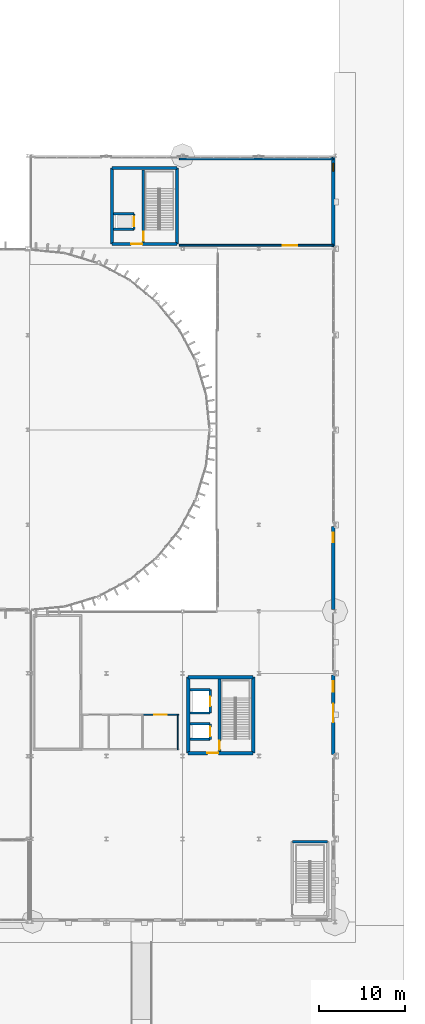
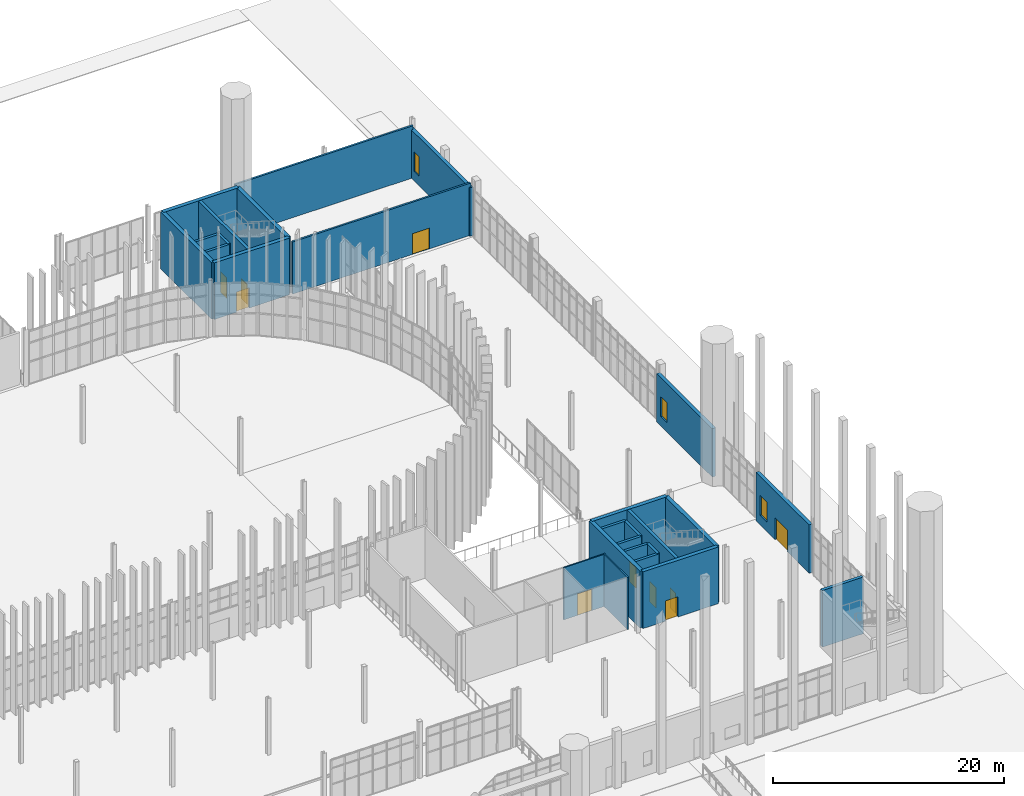
# One storey, part 106 of 139: 27 walls, 10 doors, 3 windows, 13 openings.
"""IFC4 building model written with IfcOpenShell, lengths in metres."""

from ifc_helpers import new_model, si_unit, direction, frame, frame_2d, origin, place, context, subcontext, project, spatial, rectangle, extrude, material, layer, layer_set, type_object, element, fill, save


model = new_model("IFC4")

# Units and contexts
model_context = context("Model", 3, precision=1e-05, world=origin(), true_north=direction((0.0, 1.0)))
body_context = subcontext(model_context, "Body", "Model", "MODEL_VIEW")
ifc_project = project(units=[si_unit("LENGTHUNIT", "METRE"), si_unit("AREAUNIT", "SQUARE_METRE"), si_unit("VOLUMEUNIT", "CUBIC_METRE"), si_unit("PLANEANGLEUNIT", "RADIAN"), si_unit("MASSUNIT", "GRAM", prefix="KILO")], contexts=[model_context])

# Site, building, storey
site_placement = place(None, origin())
site = spatial("IfcSite", under=ifc_project, at=site_placement, CompositionType="ELEMENT")
building_placement = place(site_placement, origin())
building = spatial("IfcBuilding", under=site, at=building_placement, Name="Yeouljin Market Hall", CompositionType="ELEMENT")
storey_placement = place(building_placement, origin())
storey = spatial("IfcBuildingStorey", under=building, at=storey_placement, Name="L00", CompositionType="ELEMENT", Elevation=0.0)

# Wall, opening, door
ifc_material_1 = material(Name="Ceramic-Faced Acoustic Partition")
ifc_layer_1 = layer(ifc_material_1, 0.18994140625)
ifc_layer_set_1 = layer_set([ifc_layer_1], Name="Ceramic-Faced Acoustic Partition")
wall_type_1 = type_object("IfcWallType", Name="Part_KitchenTile_190", PredefinedType="PARTITIONING", material=ifc_layer_set_1)
wall_1_placement = place(storey_placement, frame((158.3701171875, 78.39990234375, 0.0), z_axis=(0.0, 0.0, 1.0), x_axis=(1.0, 0.0, 0.0)))
wall_1 = element("IfcWall", 1, at=wall_1_placement, inside=storey, type_object=wall_type_1, Name="Interior partition PART-L00-0066", PredefinedType="PARTITIONING", context=body_context, shape_type="SweptSolid", body=[
    extrude(rectangle(XDim=17.829833984375, YDim=0.18994140625, at=frame_2d((8.9150390625, 0.0))), origin(), (0.0, 0.0, 1.0), 5.52001953125),
])
opening_1_placement = place(wall_1_placement, frame((12.00244140625, 0.0, 0.0)))
opening_1 = element("IfcOpeningElement", 2, at=opening_1_placement, cuts=wall_1, Name="Opening D-L00-021", PredefinedType="OPENING", context=body_context, shape_type="SweptSolid", body=[
    extrude(rectangle(XDim=1.679931640625, YDim=2.199951171875, at=frame_2d((0.83984375, 1.10009765625))), frame((0.0, 0.10498046875, 0.0), z_axis=(0.0, -1.0, 0.0), x_axis=(1.0, 0.0, 0.0)), (0.0, 0.0, 1.0), 0.2099609375),
])
ifc_material_2 = material(Name="Painted Fire-Rated Steel", Category="steel")
door_type_1 = type_object("IfcDoorType", Name="DT-FD168", OperationType="NOTDEFINED", PredefinedType="DOOR", material=ifc_material_2)
door_1_placement = place(opening_1_placement, origin())
door_1 = element("IfcDoor", 3, at=door_1_placement, inside=storey, type_object=door_type_1, Name="Interior door D-L00-021 (Seafood Broth Prep Kitchen)", OperationType="SINGLE_SWING_LEFT", OverallHeight=2.199951171875, OverallWidth=1.679931640625, PredefinedType="DOOR", context=body_context, shape_type="SweptSolid", body=[
    extrude(rectangle(XDim=1.679931640625, YDim=2.199951171875, at=frame_2d((0.83984375, 1.10009765625))), frame((0.0, 0.02490234375, 0.0), z_axis=(0.0, -1.0, 0.0), x_axis=(1.0, 0.0, 0.0)), (0.0, 0.0, 1.0), 0.050048828125),
])
fill(opening_1, door_1)

# Wall
wall_2_placement = place(storey_placement, frame((176.199951171875, 88.39990234375, 0.0), z_axis=(0.0, 0.0, 1.0), x_axis=(-1.0, 0.0, 0.0)))
element("IfcWall", 4, at=wall_2_placement, inside=storey, type_object=wall_type_1, Name="Interior partition PART-L00-0067", PredefinedType="PARTITIONING", context=body_context, shape_type="SweptSolid", body=[
    extrude(rectangle(XDim=17.829833984375, YDim=0.18994140625, at=frame_2d((8.9150390625, 0.0))), origin(), (0.0, 0.0, 1.0), 5.52001953125),
])

# Wall, opening, door
ifc_material_3 = material(Name="Moisture-Resistant Gypsum Partition")
ifc_layer_2 = layer(ifc_material_3, 0.1298828125)
ifc_layer_set_2 = layer_set([ifc_layer_2], Name="Moisture-Resistant Gypsum Partition")
wall_type_2 = type_object("IfcWallType", Name="Part_Sanitary_130", PredefinedType="PARTITIONING", material=ifc_layer_set_2)
wall_3_placement = place(storey_placement, frame((158.280029296875, 24.0, 0.0), z_axis=(0.0, 0.0, 1.0), x_axis=(-1.0, 0.0, 0.0)))
wall_3 = element("IfcWall", 5, at=wall_3_placement, inside=storey, type_object=wall_type_2, Name="Interior partition PART-L00-0047", PredefinedType="PARTITIONING", context=body_context, shape_type="SweptSolid", body=[
    extrude(rectangle(XDim=4.179931640625, YDim=0.1298828125, at=frame_2d((2.08984375, 0.0))), origin(), (0.0, 0.0, 1.0), 5.52001953125),
])
opening_2_placement = place(wall_3_placement, frame((1.3701171875, 0.0, 0.0)))
opening_2 = element("IfcOpeningElement", 6, at=opening_2_placement, cuts=wall_3, Name="Opening D-L00-015", PredefinedType="OPENING", context=body_context, shape_type="SweptSolid", body=[
    extrude(rectangle(XDim=1.43994140625, YDim=2.280029296875, at=frame_2d((0.719970703125, 1.14013671875))), frame((0.0, 0.074951171875, 0.0), z_axis=(0.0, -1.0, 0.0), x_axis=(1.0, 0.0, 0.0)), (0.0, 0.0, 1.0), 0.14990234375),
])
ifc_material_4 = material(Name="Acoustic Timber Veneer", Category="wood")
door_type_2 = type_object("IfcDoorType", Name="DT-ID144H", OperationType="NOTDEFINED", PredefinedType="DOOR", material=ifc_material_4)
door_2_placement = place(opening_2_placement, origin())
door_2 = element("IfcDoor", 7, at=door_2_placement, inside=storey, type_object=door_type_2, Name="Interior door D-L00-015 (East Female WC)", OperationType="SINGLE_SWING_LEFT", OverallHeight=2.280029296875, OverallWidth=1.43994140625, PredefinedType="DOOR", context=body_context, shape_type="SweptSolid", body=[
    extrude(rectangle(XDim=1.43994140625, YDim=2.280029296875, at=frame_2d((0.719970703125, 1.14013671875))), frame((0.0, 0.02490234375, 0.0), z_axis=(0.0, -1.0, 0.0), x_axis=(1.0, 0.0, 0.0)), (0.0, 0.0, 1.0), 0.050048828125),
])
fill(opening_2, door_2)

# Wall
wall_4_placement = place(storey_placement, frame((158.199951171875, 19.919921875, 0.0), z_axis=(0.0, 0.0, 1.0), x_axis=(0.0, 1.0, 0.0)))
element("IfcWall", 8, at=wall_4_placement, inside=storey, type_object=wall_type_2, Name="Interior partition PART-L00-0049", PredefinedType="PARTITIONING", context=body_context, shape_type="SweptSolid", body=[
    extrude(rectangle(XDim=4.16015625, YDim=0.1298828125, at=frame_2d((2.080078125, 0.0))), origin(), (0.0, 0.0, 1.0), 5.52001953125),
])

# Wall, opening, door
ifc_material_5 = material(Name="Concrete C35/45", Category="concrete")
ifc_layer_3 = layer(ifc_material_5, 0.260009765625)
ifc_layer_set_3 = layer_set([ifc_layer_3], Name="Concrete C35/45")
wall_type_3 = type_object("IfcWallType", Name="Wall_Compartment_260", PredefinedType="SHEAR", material=ifc_layer_set_3)
wall_5_placement = place(storey_placement, frame((161.945068359375, 21.14990234375, 0.0), z_axis=(0.0, 0.0, 1.0), x_axis=(0.0, 1.0, 0.0)))
wall_5 = element("IfcWall", 9, at=wall_5_placement, inside=storey, type_object=wall_type_3, Name="Lift LP-03 hoistway front wall (L00)", PredefinedType="SHEAR", context=body_context, shape_type="SweptSolid", body=[
    extrude(rectangle(XDim=1.800048828125, YDim=0.260009765625, at=frame_2d((0.89990234375, 0.0))), origin(), (0.0, 0.0, 1.0), 6.0),
])
opening_3_placement = place(wall_5_placement, frame((0.35009765625, 0.0, 0.0)))
opening_3 = element("IfcOpeningElement", 10, at=opening_3_placement, cuts=wall_5, Name="Opening LD-LP-03-L00", PredefinedType="OPENING", context=body_context, shape_type="SweptSolid", body=[
    extrude(rectangle(XDim=1.10009765625, YDim=2.14990234375, at=frame_2d((0.550048828125, 1.074951171875))), frame((0.0, 0.139892578125, 0.0), z_axis=(0.0, -1.0, 0.0), x_axis=(1.0, 0.0, 0.0)), (0.0, 0.0, 1.0), 0.280029296875),
])
ifc_material_6 = material(Name="Brushed Stainless Steel", Category="steel")
door_type_3 = type_object("IfcDoorType", Name="LD-110", OperationType="SLIDING_TO_LEFT", PredefinedType="DOOR", material=ifc_material_6)
door_3_placement = place(opening_3_placement, origin())
door_3 = element("IfcDoor", 11, at=door_3_placement, inside=storey, type_object=door_type_3, Name="Lift landing sliding door LD-LP-03-L00", OperationType="SLIDING_TO_LEFT", OverallHeight=2.14990234375, OverallWidth=1.10009765625, PredefinedType="DOOR", context=body_context, shape_type="SweptSolid", body=[
    extrude(rectangle(XDim=1.10009765625, YDim=2.14990234375, at=frame_2d((0.550048828125, 1.074951171875))), frame((0.0, 0.02490234375, 0.0), z_axis=(0.0, -1.0, 0.0), x_axis=(1.0, 0.0, 0.0)), (0.0, 0.0, 1.0), 0.050048828125),
])
fill(opening_3, door_3)

# Walls
for number, where, z_axis, x_axis, name in (
    (12, (159.590087890625, 21.14990234375, 0.0), (0.0, 0.0, 1.0), (1.0, 0.0, 0.0), "Lift LP-03 shaft cheek wall S (L00)"),
    (13, (159.590087890625, 22.949951171875, 0.0), (0.0, 0.0, 1.0), (1.0, 0.0, 0.0), "Lift LP-03 shaft cheek wall N (L00)"),
):
    element("IfcWall", number, at=place(storey_placement, frame(where, z_axis=z_axis, x_axis=x_axis)), inside=storey, type_object=wall_type_3, Name=name, PredefinedType="SHEAR", context=body_context, shape_type="SweptSolid", body=[
        extrude(rectangle(XDim=2.35498046875, YDim=0.260009765625, at=frame_2d((1.177490234375, 0.0))), origin(), (0.0, 0.0, 1.0), 6.0),
    ])

# Wall, opening, door
wall_6_placement = place(storey_placement, frame((161.945068359375, 24.199951171875, 0.0), z_axis=(0.0, 0.0, 1.0), x_axis=(0.0, 1.0, 0.0)))
wall_6 = element("IfcWall", 14, at=wall_6_placement, inside=storey, type_object=wall_type_3, Name="Lift LS-02 hoistway front wall (L00)", PredefinedType="SHEAR", context=body_context, shape_type="SweptSolid", body=[
    extrude(rectangle(XDim=2.699951171875, YDim=0.260009765625, at=frame_2d((1.35009765625, 0.0))), origin(), (0.0, 0.0, 1.0), 6.0),
])
opening_4_placement = place(wall_6_placement, frame((0.800048828125, 0.0, 0.0)))
opening_4 = element("IfcOpeningElement", 15, at=opening_4_placement, cuts=wall_6, Name="Opening LD-LS-02-L00", PredefinedType="OPENING", context=body_context, shape_type="SweptSolid", body=[
    extrude(rectangle(XDim=1.10009765625, YDim=2.14990234375, at=frame_2d((0.550048828125, 1.074951171875))), frame((0.0, 0.139892578125, 0.0), z_axis=(0.0, -1.0, 0.0), x_axis=(1.0, 0.0, 0.0)), (0.0, 0.0, 1.0), 0.280029296875),
])
door_4_placement = place(opening_4_placement, origin())
door_4 = element("IfcDoor", 16, at=door_4_placement, inside=storey, type_object=door_type_3, Name="Lift landing sliding door LD-LS-02-L00", OperationType="SLIDING_TO_RIGHT", OverallHeight=2.14990234375, OverallWidth=1.10009765625, PredefinedType="DOOR", context=body_context, shape_type="SweptSolid", body=[
    extrude(rectangle(XDim=1.10009765625, YDim=2.14990234375, at=frame_2d((0.550048828125, 1.074951171875))), frame((0.0, 0.02490234375, 0.0), z_axis=(0.0, -1.0, 0.0), x_axis=(1.0, 0.0, 0.0)), (0.0, 0.0, 1.0), 0.050048828125),
])
fill(opening_4, door_4)

# Walls
for number, where, z_axis, x_axis, name in (
    (17, (159.590087890625, 24.199951171875, 0.0), (0.0, 0.0, 1.0), (1.0, 0.0, 0.0), "Lift LS-02 shaft cheek wall S (L00)"),
    (18, (159.590087890625, 26.89990234375, 0.0), (0.0, 0.0, 1.0), (1.0, 0.0, 0.0), "Lift LS-02 shaft cheek wall N (L00)"),
):
    element("IfcWall", number, at=place(storey_placement, frame(where, z_axis=z_axis, x_axis=x_axis)), inside=storey, type_object=wall_type_3, Name=name, PredefinedType="SHEAR", context=body_context, shape_type="SweptSolid", body=[
        extrude(rectangle(XDim=2.35498046875, YDim=0.260009765625, at=frame_2d((1.177490234375, 0.0))), origin(), (0.0, 0.0, 1.0), 6.0),
    ])

# Wall, opening, door
wall_7_placement = place(storey_placement, frame((153.114990234375, 80.25, 0.0), z_axis=(0.0, 0.0, 1.0), x_axis=(0.0, 1.0, 0.0)))
wall_7 = element("IfcWall", 19, at=wall_7_placement, inside=storey, type_object=wall_type_3, Name="Lift LP-04 hoistway front wall (L00)", PredefinedType="SHEAR", context=body_context, shape_type="SweptSolid", body=[
    extrude(rectangle(XDim=1.800048828125, YDim=0.260009765625, at=frame_2d((0.89990234375, 0.0))), origin(), (0.0, 0.0, 1.0), 6.0),
])
opening_5_placement = place(wall_7_placement, frame((0.35009765625, 0.0, 0.0)))
opening_5 = element("IfcOpeningElement", 20, at=opening_5_placement, cuts=wall_7, Name="Opening LD-LP-04-L00", PredefinedType="OPENING", context=body_context, shape_type="SweptSolid", body=[
    extrude(rectangle(XDim=1.10009765625, YDim=2.14990234375, at=frame_2d((0.550048828125, 1.074951171875))), frame((0.0, 0.139892578125, 0.0), z_axis=(0.0, -1.0, 0.0), x_axis=(1.0, 0.0, 0.0)), (0.0, 0.0, 1.0), 0.280029296875),
])
door_5_placement = place(opening_5_placement, origin())
door_5 = element("IfcDoor", 21, at=door_5_placement, inside=storey, type_object=door_type_3, Name="Lift landing sliding door LD-LP-04-L00", OperationType="SLIDING_TO_LEFT", OverallHeight=2.14990234375, OverallWidth=1.10009765625, PredefinedType="DOOR", context=body_context, shape_type="SweptSolid", body=[
    extrude(rectangle(XDim=1.10009765625, YDim=2.14990234375, at=frame_2d((0.550048828125, 1.074951171875))), frame((0.0, 0.02490234375, 0.0), z_axis=(0.0, -1.0, 0.0), x_axis=(1.0, 0.0, 0.0)), (0.0, 0.0, 1.0), 0.050048828125),
])
fill(opening_5, door_5)

# Walls
for number, where, z_axis, x_axis, name in (
    (22, (150.760009765625, 80.25, 0.0), (0.0, 0.0, 1.0), (1.0, 0.0, 0.0), "Lift LP-04 shaft cheek wall S (L00)"),
    (23, (150.760009765625, 82.050048828125, 0.0), (0.0, 0.0, 1.0), (1.0, 0.0, 0.0), "Lift LP-04 shaft cheek wall N (L00)"),
):
    element("IfcWall", number, at=place(storey_placement, frame(where, z_axis=z_axis, x_axis=x_axis)), inside=storey, type_object=wall_type_3, Name=name, PredefinedType="SHEAR", context=body_context, shape_type="SweptSolid", body=[
        extrude(rectangle(XDim=2.35498046875, YDim=0.260009765625, at=frame_2d((1.177490234375, 0.0))), origin(), (0.0, 0.0, 1.0), 6.0),
    ])

# Wall, opening, door
ifc_material_7 = material(Name="Concrete C35/45", Category="concrete")
ifc_layer_4 = layer(ifc_material_7, 0.3798828125)
ifc_layer_set_4 = layer_set([ifc_layer_4], Name="Concrete C35/45")
wall_type_4 = type_object("IfcWallType", Name="Wall_CoreShear_380", PredefinedType="SHEAR", material=ifc_layer_set_4)
wall_8_placement = place(storey_placement, frame((159.389892578125, 19.550048828125, 0.0), z_axis=(0.0, 0.0, 1.0), x_axis=(1.0, 0.0, 0.0)))
wall_8 = element("IfcWall", 24, at=wall_8_placement, inside=storey, type_object=wall_type_4, Name="Core C3 south shear wall (L00)", PredefinedType="SHEAR", context=body_context, shape_type="SweptSolid", body=[
    extrude(rectangle(XDim=7.530029296875, YDim=0.3798828125, at=frame_2d((3.76513671875, 0.0))), origin(), (0.0, 0.0, 1.0), 6.0),
])
opening_6_placement = place(wall_8_placement, frame((2.22998046875, 0.0, 0.0)))
opening_6 = element("IfcOpeningElement", 25, at=opening_6_placement, cuts=wall_8, Name="Opening FD-C3-L00-01", PredefinedType="OPENING", context=body_context, shape_type="SweptSolid", body=[
    extrude(rectangle(XDim=1.280029296875, YDim=2.14990234375, at=frame_2d((0.64013671875, 1.074951171875))), frame((0.0, 0.199951171875, 0.0), z_axis=(0.0, -1.0, 0.0), x_axis=(1.0, 0.0, 0.0)), (0.0, 0.0, 1.0), 0.39990234375),
])
ifc_material_8 = material(Name="Painted Fire-Rated Steel", Category="steel")
door_type_4 = type_object("IfcDoorType", Name="DT-FD128", OperationType="NOTDEFINED", PredefinedType="DOOR", material=ifc_material_8)
door_6_placement = place(opening_6_placement, origin())
door_6 = element("IfcDoor", 26, at=door_6_placement, inside=storey, type_object=door_type_4, Name="Core C3 lobby fire door (L00)", OperationType="SINGLE_SWING_LEFT", OverallHeight=2.14990234375, OverallWidth=1.280029296875, PredefinedType="DOOR", context=body_context, shape_type="SweptSolid", body=[
    extrude(rectangle(XDim=1.280029296875, YDim=2.14990234375, at=frame_2d((0.64013671875, 1.074951171875))), frame((0.0, 0.02490234375, 0.0), z_axis=(0.0, -1.0, 0.0), x_axis=(1.0, 0.0, 0.0)), (0.0, 0.0, 1.0), 0.050048828125),
])
fill(opening_6, door_6)

# Walls
wall_9_placement = place(storey_placement, frame((166.919921875, 28.35009765625, 0.0), z_axis=(0.0, 0.0, 1.0), x_axis=(-1.0, 0.0, 0.0)))
element("IfcWall", 27, at=wall_9_placement, inside=storey, type_object=wall_type_4, Name="Core C3 north shear wall (L00)", PredefinedType="SHEAR", context=body_context, shape_type="SweptSolid", body=[
    extrude(rectangle(XDim=7.530029296875, YDim=0.3798828125, at=frame_2d((3.76513671875, 0.0))), origin(), (0.0, 0.0, 1.0), 6.0),
])
for number, where, z_axis, x_axis, name in (
    (28, (159.389892578125, 28.35009765625, 0.0), (0.0, 0.0, 1.0), (0.0, -1.0, 0.0), "Core C3 west shear wall (L00)"),
    (29, (166.919921875, 19.550048828125, 0.0), (0.0, 0.0, 1.0), (0.0, 1.0, 0.0), "Core C3 east shear wall (L00)"),
):
    element("IfcWall", number, at=place(storey_placement, frame(where, z_axis=z_axis, x_axis=x_axis)), inside=storey, type_object=wall_type_4, Name=name, PredefinedType="SHEAR", context=body_context, shape_type="SweptSolid", body=[
        extrude(rectangle(XDim=8.800048828125, YDim=0.3798828125, at=frame_2d((4.39990234375, 0.0))), origin(), (0.0, 0.0, 1.0), 6.0),
    ])

# Wall, opening, door
wall_10_placement = place(storey_placement, frame((150.56005859375, 78.550048828125, 0.0), z_axis=(0.0, 0.0, 1.0), x_axis=(1.0, 0.0, 0.0)))
wall_10 = element("IfcWall", 30, at=wall_10_placement, inside=storey, type_object=wall_type_4, Name="Core C4 south shear wall (L00)", PredefinedType="SHEAR", context=body_context, shape_type="SweptSolid", body=[
    extrude(rectangle(XDim=7.530029296875, YDim=0.3798828125, at=frame_2d((3.76513671875, 0.0))), origin(), (0.0, 0.0, 1.0), 6.0),
])
opening_7_placement = place(wall_10_placement, frame((2.22998046875, 0.0, 0.0)))
opening_7 = element("IfcOpeningElement", 31, at=opening_7_placement, cuts=wall_10, Name="Opening FD-C4-L00-01", PredefinedType="OPENING", context=body_context, shape_type="SweptSolid", body=[
    extrude(rectangle(XDim=1.280029296875, YDim=2.14990234375, at=frame_2d((0.64013671875, 1.074951171875))), frame((0.0, 0.199951171875, 0.0), z_axis=(0.0, -1.0, 0.0), x_axis=(1.0, 0.0, 0.0)), (0.0, 0.0, 1.0), 0.39990234375),
])
door_7_placement = place(opening_7_placement, origin())
door_7 = element("IfcDoor", 32, at=door_7_placement, inside=storey, type_object=door_type_4, Name="Core C4 lobby fire door (L00)", OperationType="SINGLE_SWING_LEFT", OverallHeight=2.14990234375, OverallWidth=1.280029296875, PredefinedType="DOOR", context=body_context, shape_type="SweptSolid", body=[
    extrude(rectangle(XDim=1.280029296875, YDim=2.14990234375, at=frame_2d((0.64013671875, 1.074951171875))), frame((0.0, 0.02490234375, 0.0), z_axis=(0.0, -1.0, 0.0), x_axis=(1.0, 0.0, 0.0)), (0.0, 0.0, 1.0), 0.050048828125),
])
fill(opening_7, door_7)

# Walls
wall_11_placement = place(storey_placement, frame((158.090087890625, 87.35009765625, 0.0), z_axis=(0.0, 0.0, 1.0), x_axis=(-1.0, 0.0, 0.0)))
element("IfcWall", 33, at=wall_11_placement, inside=storey, type_object=wall_type_4, Name="Core C4 north shear wall (L00)", PredefinedType="SHEAR", context=body_context, shape_type="SweptSolid", body=[
    extrude(rectangle(XDim=7.530029296875, YDim=0.3798828125, at=frame_2d((3.76513671875, 0.0))), origin(), (0.0, 0.0, 1.0), 6.0),
])
for number, where, z_axis, x_axis, name in (
    (34, (150.56005859375, 87.35009765625, 0.0), (0.0, 0.0, 1.0), (0.0, -1.0, 0.0), "Core C4 west shear wall (L00)"),
    (35, (158.090087890625, 78.550048828125, 0.0), (0.0, 0.0, 1.0), (0.0, 1.0, 0.0), "Core C4 east shear wall (L00)"),
):
    element("IfcWall", number, at=place(storey_placement, frame(where, z_axis=z_axis, x_axis=x_axis)), inside=storey, type_object=wall_type_4, Name=name, PredefinedType="SHEAR", context=body_context, shape_type="SweptSolid", body=[
        extrude(rectangle(XDim=8.800048828125, YDim=0.3798828125, at=frame_2d((4.39990234375, 0.0))), origin(), (0.0, 0.0, 1.0), 6.0),
    ])

# Wall, opening, window
ifc_material_9 = material(Name="Clinker Brick Masonry F2-S2", Category="masonry")
ifc_layer_5 = layer(ifc_material_9, 0.35009765625)
ifc_layer_set_5 = layer_set([ifc_layer_5], Name="Clinker Brick Masonry F2-S2")
wall_type_5 = type_object("IfcWallType", Name="Wall_Ext_ClinkerCavity_350", PredefinedType="SOLIDWALL", material=ifc_layer_set_5)
wall_12_placement = place(storey_placement, frame((176.199951171875, 88.617919921875, 0.0), z_axis=(0.0, 0.0, 1.0), x_axis=(0.0, -1.0, 0.0)))
wall_12 = element("IfcWall", 36, at=wall_12_placement, inside=storey, type_object=wall_type_5, Name="Exterior wall WE-V3E-L00-1", PredefinedType="SOLIDWALL", context=body_context, shape_type="SweptSolid", body=[
    extrude(rectangle(XDim=10.43603515625, YDim=0.35009765625, at=frame_2d((5.218017578125, 0.0))), origin(), (0.0, 0.0, 1.0), 5.1201171875),
])
opening_8_placement = place(wall_12_placement, frame((0.718017578125, 0.0, 1.0)))
opening_8 = element("IfcOpeningElement", 37, at=opening_8_placement, cuts=wall_12, Name="Opening WN-11", PredefinedType="OPENING", context=body_context, shape_type="SweptSolid", body=[
    extrude(rectangle(XDim=0.89990234375, YDim=2.10009765625, at=frame_2d((0.449951171875, 1.050048828125))), frame((0.0, 0.18505859375, 0.0), z_axis=(0.0, -1.0, 0.0), x_axis=(1.0, 0.0, 0.0)), (0.0, 0.0, 1.0), 0.3701171875),
])
ifc_material_10 = material(Name="Low-E Insulated Glass", Category="glass")
window_type_1 = type_object("IfcWindowType", Name="Win_Ladder_900x2100", PartitioningType="DOUBLE_PANEL_HORIZONTAL", PredefinedType="WINDOW", material=ifc_material_10)
window_1_placement = place(opening_8_placement, origin())
window_1 = element("IfcWindow", 38, at=window_1_placement, inside=storey, type_object=window_type_1, Name="Exterior window WIN-V3E-L00-1", OverallHeight=2.10009765625, OverallWidth=0.89990234375, PartitioningType="SINGLE_PANEL", PredefinedType="WINDOW", context=body_context, shape_type="SweptSolid", body=[
    extrude(rectangle(XDim=0.89990234375, YDim=2.10009765625, at=frame_2d((0.449951171875, 1.050048828125))), frame((0.0, 0.030029296875, 0.0), z_axis=(0.0, -1.0, 0.0), x_axis=(1.0, 0.0, 0.0)), (0.0, 0.0, 1.0), 0.06005859375),
])
fill(opening_8, window_1)

wall_13_placement = place(storey_placement, frame((176.199951171875, 45.818115234375, 0.0), z_axis=(0.0, 0.0, 1.0), x_axis=(0.0, -1.0, 0.0)))
wall_13 = element("IfcWall", 39, at=wall_13_placement, inside=storey, type_object=wall_type_5, Name="Exterior wall WE-V3E-L00-5", PredefinedType="SOLIDWALL", context=body_context, shape_type="SweptSolid", body=[
    extrude(rectangle(XDim=9.63623046875, YDim=0.35009765625, at=frame_2d((4.818115234375, 0.0))), origin(), (0.0, 0.0, 1.0), 5.1201171875),
])
opening_9_placement = place(wall_13_placement, frame((0.718017578125, 0.0, 1.0)))
opening_9 = element("IfcOpeningElement", 40, at=opening_9_placement, cuts=wall_13, Name="Opening WN-12", PredefinedType="OPENING", context=body_context, shape_type="SweptSolid", body=[
    extrude(rectangle(XDim=1.10009765625, YDim=2.10009765625, at=frame_2d((0.550048828125, 1.050048828125))), frame((0.0, 0.18505859375, 0.0), z_axis=(0.0, -1.0, 0.0), x_axis=(1.0, 0.0, 0.0)), (0.0, 0.0, 1.0), 0.3701171875),
])
ifc_material_11 = material(Name="Low-E Insulated Glass", Category="glass")
window_type_2 = type_object("IfcWindowType", Name="Win_Ladder_1100x2100", PartitioningType="DOUBLE_PANEL_HORIZONTAL", PredefinedType="WINDOW", material=ifc_material_11)
window_2_placement = place(opening_9_placement, origin())
window_2 = element("IfcWindow", 41, at=window_2_placement, inside=storey, type_object=window_type_2, Name="Exterior window WIN-V3E-L00-5", OverallHeight=2.10009765625, OverallWidth=1.10009765625, PartitioningType="SINGLE_PANEL", PredefinedType="WINDOW", context=body_context, shape_type="SweptSolid", body=[
    extrude(rectangle(XDim=1.10009765625, YDim=2.10009765625, at=frame_2d((0.550048828125, 1.050048828125))), frame((0.0, 0.030029296875, 0.0), z_axis=(0.0, -1.0, 0.0), x_axis=(1.0, 0.0, 0.0)), (0.0, 0.0, 1.0), 0.06005859375),
])
fill(opening_9, window_2)

# Wall, openings, door, window
wall_14_placement = place(storey_placement, frame((176.199951171875, 28.593994140625, 0.0), z_axis=(0.0, 0.0, 1.0), x_axis=(0.0, -1.0, 0.0)))
wall_14 = element("IfcWall", 42, at=wall_14_placement, inside=storey, type_object=wall_type_5, Name="Exterior wall WE-V3E-L00-7", PredefinedType="SOLIDWALL", context=body_context, shape_type="SweptSolid", body=[
    extrude(rectangle(XDim=9.18798828125, YDim=0.35009765625, at=frame_2d((4.593994140625, 0.0))), origin(), (0.0, 0.0, 1.0), 5.1201171875),
])
opening_10_placement = place(wall_14_placement, frame((3.2939453125, 0.0, 0.0)))
opening_10 = element("IfcOpeningElement", 43, at=opening_10_placement, cuts=wall_14, Name="Opening ED-L00-14", PredefinedType="OPENING", context=body_context, shape_type="SweptSolid", body=[
    extrude(rectangle(XDim=2.199951171875, YDim=2.300048828125, at=frame_2d((1.10009765625, 1.14990234375))), frame((0.0, 0.18505859375, 0.0), z_axis=(0.0, -1.0, 0.0), x_axis=(1.0, 0.0, 0.0)), (0.0, 0.0, 1.0), 0.3701171875),
])
opening_11_placement = place(wall_14_placement, frame((0.694091796875, 0.0, 1.0)))
opening_11 = element("IfcOpeningElement", 44, at=opening_11_placement, cuts=wall_14, Name="Opening WN-13", PredefinedType="OPENING", context=body_context, shape_type="SweptSolid", body=[
    extrude(rectangle(XDim=1.25, YDim=2.10009765625, at=frame_2d((0.625, 1.050048828125))), frame((0.0, 0.18505859375, 0.0), z_axis=(0.0, -1.0, 0.0), x_axis=(1.0, 0.0, 0.0)), (0.0, 0.0, 1.0), 0.3701171875),
])
ifc_material_12 = material(Name="Thermally Broken Aluminium", Category="aluminium")
door_type_5 = type_object("IfcDoorType", Name="DT-ED220", OperationType="NOTDEFINED", PredefinedType="DOOR", material=ifc_material_12)
door_8_placement = place(opening_10_placement, origin())
door_8 = element("IfcDoor", 45, at=door_8_placement, inside=storey, type_object=door_type_5, Name="Exterior door ED-L00-14", OperationType="DOUBLE_DOOR_SINGLE_SWING", OverallHeight=2.300048828125, OverallWidth=2.199951171875, PredefinedType="DOOR", context=body_context, shape_type="SweptSolid", body=[
    extrude(rectangle(XDim=2.199951171875, YDim=2.300048828125, at=frame_2d((1.10009765625, 1.14990234375))), frame((0.0, 0.02490234375, 0.0), z_axis=(0.0, -1.0, 0.0), x_axis=(1.0, 0.0, 0.0)), (0.0, 0.0, 1.0), 0.050048828125),
])
fill(opening_10, door_8)
ifc_material_13 = material(Name="Low-E Insulated Glass", Category="glass")
window_type_3 = type_object("IfcWindowType", Name="Win_Ladder_1250x2100", PartitioningType="DOUBLE_PANEL_HORIZONTAL", PredefinedType="WINDOW", material=ifc_material_13)
window_3_placement = place(opening_11_placement, origin())
window_3 = element("IfcWindow", 46, at=window_3_placement, inside=storey, type_object=window_type_3, Name="Exterior window WIN-V3E-L00-7", OverallHeight=2.10009765625, OverallWidth=1.25, PartitioningType="SINGLE_PANEL", PredefinedType="WINDOW", context=body_context, shape_type="SweptSolid", body=[
    extrude(rectangle(XDim=1.25, YDim=2.10009765625, at=frame_2d((0.625, 1.050048828125))), frame((0.0, 0.030029296875, 0.0), z_axis=(0.0, -1.0, 0.0), x_axis=(1.0, 0.0, 0.0)), (0.0, 0.0, 1.0), 0.06005859375),
])
fill(opening_11, window_3)

# Wall, opening, door
ifc_material_14 = material(Name="Concrete C35/45", Category="concrete")
ifc_layer_6 = layer(ifc_material_14, 0.300048828125)
ifc_layer_set_6 = layer_set([ifc_layer_6], Name="Concrete C35/45")
wall_type_6 = type_object("IfcWallType", Name="Wall_ShaftShear_300", PredefinedType="SHEAR", material=ifc_layer_set_6)
wall_15_placement = place(storey_placement, frame((163.02001953125, 19.75, 0.0), z_axis=(0.0, 0.0, 1.0), x_axis=(0.0, 1.0, 0.0)))
wall_15 = element("IfcWall", 47, at=wall_15_placement, inside=storey, type_object=wall_type_6, Name="Core C3 stairwell divider wall (L00)", PredefinedType="SHEAR", context=body_context, shape_type="SweptSolid", body=[
    extrude(rectangle(XDim=8.39990234375, YDim=0.300048828125, at=frame_2d((4.199951171875, 0.0))), origin(), (0.0, 0.0, 1.0), 6.0),
])
opening_12_placement = place(wall_15_placement, frame((0.199951171875, 0.0, 0.0)))
opening_12 = element("IfcOpeningElement", 48, at=opening_12_placement, cuts=wall_15, Name="Opening SD-C3-L00", PredefinedType="OPENING", context=body_context, shape_type="SweptSolid", body=[
    extrude(rectangle(XDim=1.02001953125, YDim=2.10009765625, at=frame_2d((0.510009765625, 1.050048828125))), frame((0.0, 0.159912109375, 0.0), z_axis=(0.0, -1.0, 0.0), x_axis=(1.0, 0.0, 0.0)), (0.0, 0.0, 1.0), 0.320068359375),
])
ifc_material_15 = material(Name="Painted Fire-Rated Steel", Category="steel")
door_type_6 = type_object("IfcDoorType", Name="DT-FD102", OperationType="NOTDEFINED", PredefinedType="DOOR", material=ifc_material_15)
door_9_placement = place(opening_12_placement, origin())
door_9 = element("IfcDoor", 49, at=door_9_placement, inside=storey, type_object=door_type_6, Name="Core C3 exit stair door (L00)", OperationType="SINGLE_SWING_RIGHT", OverallHeight=2.10009765625, OverallWidth=1.02001953125, PredefinedType="DOOR", context=body_context, shape_type="SweptSolid", body=[
    extrude(rectangle(XDim=1.02001953125, YDim=2.10009765625, at=frame_2d((0.510009765625, 1.050048828125))), frame((0.0, 0.02490234375, 0.0), z_axis=(0.0, -1.0, 0.0), x_axis=(1.0, 0.0, 0.0)), (0.0, 0.0, 1.0), 0.050048828125),
])
fill(opening_12, door_9)

wall_16_placement = place(storey_placement, frame((154.18994140625, 78.75, 0.0), z_axis=(0.0, 0.0, 1.0), x_axis=(0.0, 1.0, 0.0)))
wall_16 = element("IfcWall", 50, at=wall_16_placement, inside=storey, type_object=wall_type_6, Name="Core C4 stairwell divider wall (L00)", PredefinedType="SHEAR", context=body_context, shape_type="SweptSolid", body=[
    extrude(rectangle(XDim=8.39990234375, YDim=0.300048828125, at=frame_2d((4.199951171875, 0.0))), origin(), (0.0, 0.0, 1.0), 6.0),
])
opening_13_placement = place(wall_16_placement, frame((0.199951171875, 0.0, 0.0)))
opening_13 = element("IfcOpeningElement", 51, at=opening_13_placement, cuts=wall_16, Name="Opening SD-C4-L00", PredefinedType="OPENING", context=body_context, shape_type="SweptSolid", body=[
    extrude(rectangle(XDim=1.02001953125, YDim=2.10009765625, at=frame_2d((0.510009765625, 1.050048828125))), frame((0.0, 0.159912109375, 0.0), z_axis=(0.0, -1.0, 0.0), x_axis=(1.0, 0.0, 0.0)), (0.0, 0.0, 1.0), 0.320068359375),
])
door_10_placement = place(opening_13_placement, origin())
door_10 = element("IfcDoor", 52, at=door_10_placement, inside=storey, type_object=door_type_6, Name="Core C4 exit stair door (L00)", OperationType="SINGLE_SWING_RIGHT", OverallHeight=2.10009765625, OverallWidth=1.02001953125, PredefinedType="DOOR", context=body_context, shape_type="SweptSolid", body=[
    extrude(rectangle(XDim=1.02001953125, YDim=2.10009765625, at=frame_2d((0.510009765625, 1.050048828125))), frame((0.0, 0.02490234375, 0.0), z_axis=(0.0, -1.0, 0.0), x_axis=(1.0, 0.0, 0.0)), (0.0, 0.0, 1.0), 0.050048828125),
])
fill(opening_13, door_10)

# Wall
wall_17_placement = place(storey_placement, frame((175.550048828125, 9.300048828125, 0.0), z_axis=(0.0, 0.0, 1.0), x_axis=(-1.0, 0.0, 0.0)))
element("IfcWall", 53, at=wall_17_placement, inside=storey, type_object=wall_type_6, Name="Core S8 north shear wall (L00)", PredefinedType="SHEAR", context=body_context, shape_type="SweptSolid", body=[
    extrude(rectangle(XDim=4.10009765625, YDim=0.300048828125, at=frame_2d((2.050048828125, 0.0))), origin(), (0.0, 0.0, 1.0), 6.0),
])

save(model, "model.ifc")
